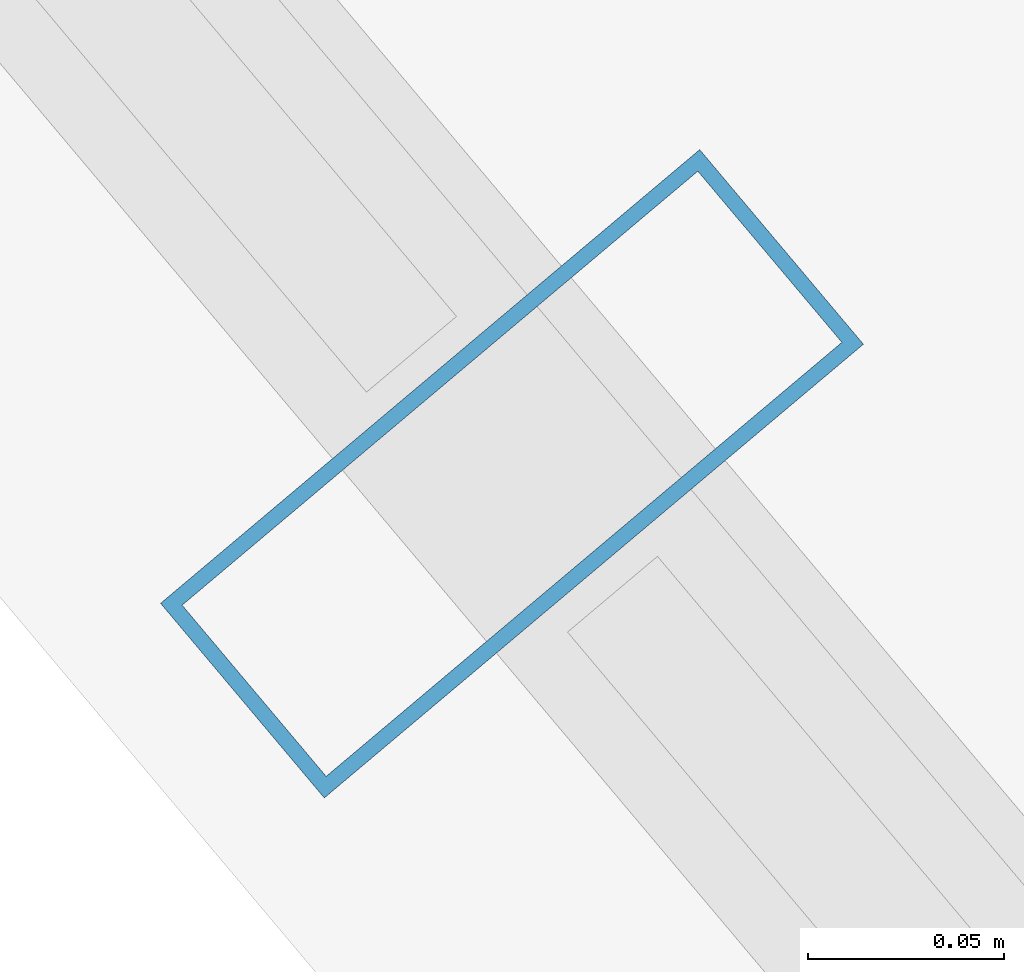
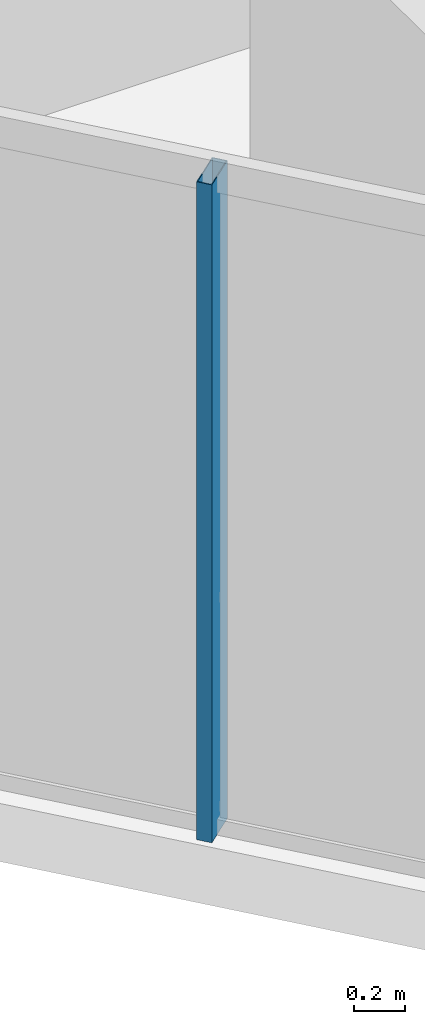
# One storey, part 2 of 27: 1 member, 1 element without a shape of its own.
"""IFC4 building model written with IfcOpenShell, lengths in metres."""

from ifc_helpers import new_model, si_unit, direction, frame, origin, origin_2d, place, context, subcontext, project, spatial, hollow_rectangle, extrude, material, layer, layer_set, material_profile, profile_set, type_object, element, aggregate, save


model = new_model("IFC4")

# Units and contexts
model_context = context("Model", 3, precision=1e-05, world=origin(), true_north=direction((0.0, 1.0)))
body_context = subcontext(model_context, "Body", "Model", "MODEL_VIEW")
ifc_project = project(units=[si_unit("LENGTHUNIT", "METRE"), si_unit("AREAUNIT", "SQUARE_METRE"), si_unit("VOLUMEUNIT", "CUBIC_METRE"), si_unit("PLANEANGLEUNIT", "RADIAN"), si_unit("MASSUNIT", "GRAM", prefix="KILO")], contexts=[model_context])

# Site, building, storey
site_placement = place(None, origin())
site = spatial("IfcSite", under=ifc_project, at=site_placement, CompositionType="ELEMENT")
building_placement = place(site_placement, origin())
building = spatial("IfcBuilding", under=site, at=building_placement, Name="Qarnah Convention Tower", CompositionType="ELEMENT")
storey_placement = place(building_placement, frame((0.0, 0.0, 103.949951171875)))
storey = spatial("IfcBuildingStorey", under=building, at=storey_placement, Name="L27", CompositionType="ELEMENT", Elevation=103.949951171875)

# Curtain wall, member
ifc_material_1 = material(Name="Tempered Low-E dark glass", Category="glass")
ifc_layer = layer(ifc_material_1, 0.169921875)
ifc_layer_set = layer_set([ifc_layer], Name="Tempered Low-E dark glass")
curtain_wall_type = type_object("IfcCurtainWallType", Name="CWS-02", PredefinedType="NOTDEFINED", material=ifc_layer_set)
curtain_wall_placement = place(storey_placement, origin())
curtain_wall = element("IfcCurtainWall", 1, at=curtain_wall_placement, inside=storey, type_object=curtain_wall_type, Name="L27 unitised curtain wall CW-L27-F1", PredefinedType="NOTDEFINED")
ifc_material_2 = material(Name="Black anodised aluminium", Category="aluminium")
ifc_material_profile = material_profile(ifc_material_2, hollow_rectangle(XDim=0.06494140625, YDim=0.179931640625, WallThickness=0.00390625, at=origin_2d()), Name="MUL-65X180")
ifc_profile_set = profile_set([ifc_material_profile], Name="Black anodised aluminium")
member_type = type_object("IfcMemberType", Name="MUL-T2", PredefinedType="MULLION", material=ifc_profile_set)
member_placement = place(storey_placement, frame((26.5166015625, 12.14306640625, 0.0), z_axis=(0.0, 0.0, 1.0), x_axis=(-0.643878016017, 0.76512815952, 0.0)))
member = element("IfcMember", 2, at=member_placement, type_object=member_type, Name="CW-L27-F1 mullion 3", PredefinedType="MULLION", context=body_context, shape_type="SweptSolid", body=[
    extrude(hollow_rectangle(XDim=0.06494140625, YDim=0.179931640625, WallThickness=0.00390625, at=origin_2d()), origin(), (0.0, 0.0, 1.0), 3.170166015625),
])
aggregate(curtain_wall, [member])

save(model, "model.ifc")
